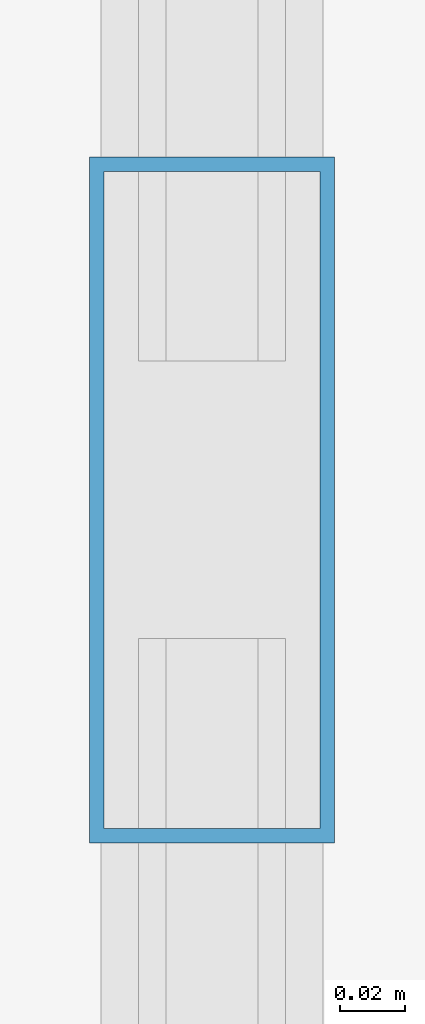
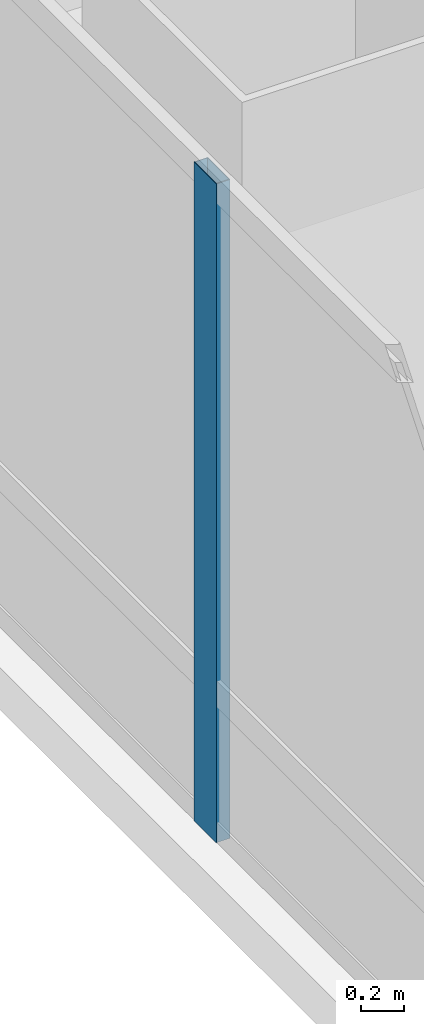
# One storey, part 8 of 42: 1 member, 1 element without a shape of its own.
"""IFC4 building model written with IfcOpenShell, lengths in metres."""

from ifc_helpers import new_model, si_unit, direction, frame, origin, origin_2d, place, context, subcontext, project, spatial, hollow_rectangle, extrude, material, material_profile, profile_set, type_object, element, aggregate, save


model = new_model("IFC4")

# Units and contexts
model_context = context("Model", 3, precision=1e-05, world=origin(), true_north=direction((0.0, 1.0)))
body_context = subcontext(model_context, "Body", "Model", "MODEL_VIEW")
ifc_project = project(units=[si_unit("LENGTHUNIT", "METRE"), si_unit("AREAUNIT", "SQUARE_METRE"), si_unit("VOLUMEUNIT", "CUBIC_METRE"), si_unit("PLANEANGLEUNIT", "RADIAN"), si_unit("MASSUNIT", "GRAM", prefix="KILO")], contexts=[model_context])

# Site, building, storey
site_placement = place(None, origin())
site = spatial("IfcSite", under=ifc_project, at=site_placement, CompositionType="ELEMENT")
building_placement = place(site_placement, origin())
building = spatial("IfcBuilding", under=site, at=building_placement, Name="Punatoya Terracotta Tower", CompositionType="ELEMENT")
storey_placement = place(building_placement, frame((0.0, 0.0, 88.949951171875)))
storey = spatial("IfcBuildingStorey", under=building, at=storey_placement, Name="L20", CompositionType="ELEMENT", Elevation=88.949951171875)

# Curtain wall, member
ifc_material_1 = material(Name="Aluminium 6063-T6 + Double Low-E Glass", Category="aluminium")
curtain_wall_type = type_object("IfcCurtainWallType", Name="CW-M1", PredefinedType="NOTDEFINED", material=ifc_material_1)
curtain_wall_placement = place(storey_placement, origin())
curtain_wall = element("IfcCurtainWall", 1, at=curtain_wall_placement, inside=storey, type_object=curtain_wall_type, Name="L20 Curtain Wall CW-L20-W13-1", PredefinedType="NOTDEFINED")
ifc_material_2 = material(Name="Aluminium 6063-T6", Category="aluminium")
ifc_material_profile = material_profile(ifc_material_2, hollow_rectangle(XDim=0.074951171875, YDim=0.2099609375, WallThickness=0.00439453125, at=origin_2d()))
ifc_profile_set = profile_set([ifc_material_profile], Name="Aluminium 6063-T6")
member_type = type_object("IfcMemberType", Name="CW-MUL-M1", PredefinedType="MULLION", material=ifc_profile_set)
member_placement = place(storey_placement, frame((-20.050048828125, -4.21435546875, 0.0), z_axis=(0.0, 0.0, 1.0), x_axis=(1.0, 0.0, 0.0)))
member = element("IfcMember", 2, at=member_placement, type_object=member_type, Name="CW-L20-W13-1 Mullion 04", PredefinedType="MULLION", context=body_context, shape_type="SweptSolid", body=[
    extrude(hollow_rectangle(XDim=0.074951171875, YDim=0.2099609375, WallThickness=0.00439453125, at=origin_2d()), origin(), (0.0, 0.0, 1.0), 3.77001953125),
])
aggregate(curtain_wall, [member])

save(model, "model.ifc")
